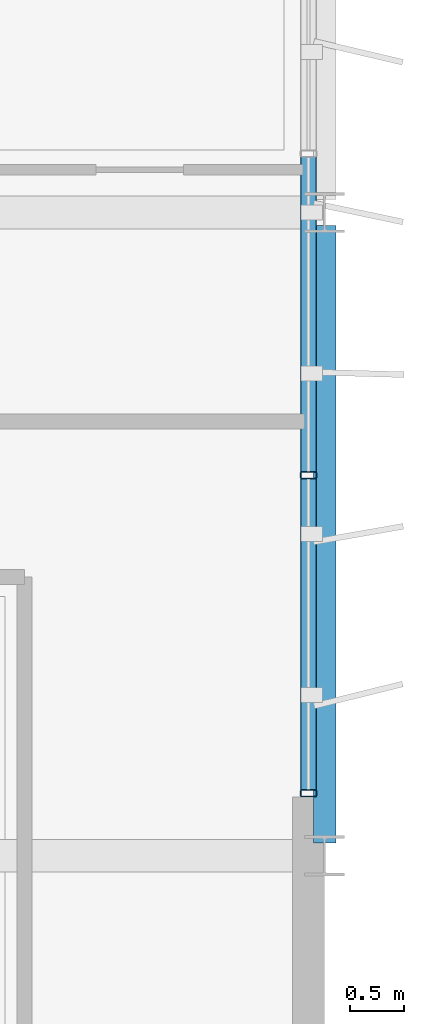
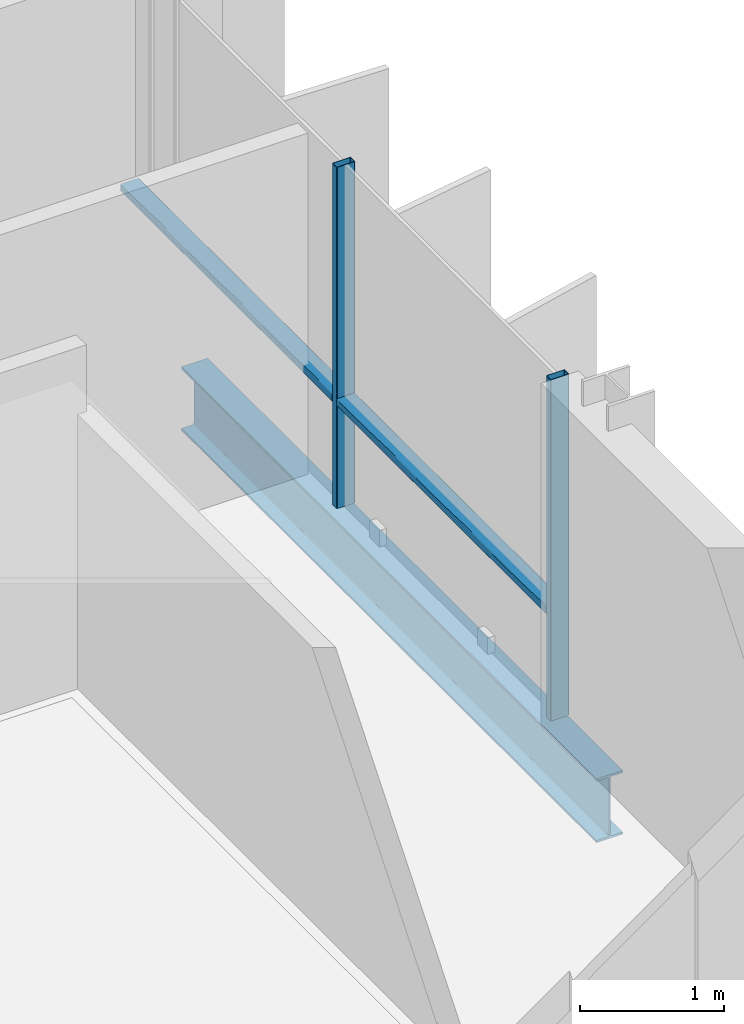
# One storey, part 14 of 35: 4 members, 1 beam, 1 element without a shape of its own.
"""IFC4 building model written with IfcOpenShell, lengths in metres."""

from ifc_helpers import new_model, si_unit, direction, frame, origin, origin_2d, place, context, subcontext, project, spatial, hollow_rectangle, i_section, extrude, material, layer, layer_set, material_profile, profile_set, type_object, element, aggregate, save


model = new_model("IFC4")

# Units and contexts
model_context = context("Model", 3, precision=1e-05, world=origin(), true_north=direction((0.0, 1.0)))
body_context = subcontext(model_context, "Body", "Model", "MODEL_VIEW")
ifc_project = project(units=[si_unit("LENGTHUNIT", "METRE"), si_unit("AREAUNIT", "SQUARE_METRE"), si_unit("VOLUMEUNIT", "CUBIC_METRE"), si_unit("PLANEANGLEUNIT", "RADIAN"), si_unit("MASSUNIT", "GRAM", prefix="KILO")], contexts=[model_context])

# Site, building, storey
site_placement = place(None, origin())
site = spatial("IfcSite", under=ifc_project, at=site_placement, CompositionType="ELEMENT")
building_placement = place(site_placement, origin())
building = spatial("IfcBuilding", under=site, at=building_placement, Name="Brevholm Reach", CompositionType="ELEMENT")
storey_placement = place(building_placement, frame((0.0, 0.0, 218.0)))
storey = spatial("IfcBuildingStorey", under=building, at=storey_placement, Name="L66", CompositionType="ELEMENT", Elevation=218.0)

# Beam
ifc_material_1 = material(Name="Structural Steel S355J2", Category="steel")
ifc_material_profile_1 = material_profile(ifc_material_1, i_section(OverallWidth=0.210693359375, OverallDepth=0.53955078125, WebThickness=0.01171875, FlangeThickness=0.018798828125, FilletRadius=0.0126953125, at=origin_2d()), Name="UKB 533x210x109")
ifc_profile_set_1 = profile_set([ifc_material_profile_1], Name="Structural Steel S355J2")
beam_type = type_object("IfcBeamType", Name="BM-SP539", PredefinedType="SPANDREL", material=ifc_profile_set_1)
beam_placement = place(storey_placement, frame((60.0, 10.1201171875, -0.539794921875), z_axis=(0.0, 1.0, 0.0), x_axis=(-1.0, 0.0, 0.0)))
element("IfcBeam", 1, at=beam_placement, inside=storey, type_object=beam_type, Name="L66 SP-01B Framing Beam", PredefinedType="SPANDREL", context=body_context, shape_type="SweptSolid", body=[
    extrude(i_section(OverallWidth=0.210693359375, OverallDepth=0.53955078125, WebThickness=0.01171875, FlangeThickness=0.018798828125, FilletRadius=0.0126953125, at=origin_2d()), origin(), (0.0, 0.0, 1.0), 5.759765625),
])

# Curtain wall, members
ifc_material_2 = material(Name="Dark Anodised Aluminium 6063-T6 and Solar-Control Glass", Category="aluminium")
ifc_layer = layer(ifc_material_2, 0.14990234375)
ifc_layer_set = layer_set([ifc_layer], Name="Dark Anodised Aluminium 6063-T6 and Solar-Control Glass")
curtain_wall_type = type_object("IfcCurtainWallType", Name="CW-01", PredefinedType="NOTDEFINED", material=ifc_layer_set)
curtain_wall_placement = place(storey_placement, origin())
curtain_wall = element("IfcCurtainWall", 2, at=curtain_wall_placement, inside=storey, type_object=curtain_wall_type, Name="L66 Curtain Wall CW-01", PredefinedType="NOTDEFINED")
ifc_material_3 = material(Name="Dark Anodised Aluminium 6063-T6", Category="aluminium")
ifc_material_profile_2 = material_profile(ifc_material_3, hollow_rectangle(XDim=0.06494140625, YDim=0.14990234375, WallThickness=0.0048828125, InnerFilletRadius=0.0048828125, OuterFilletRadius=0.010009765625, at=origin_2d()), Name="RHS 150x65x5")
ifc_profile_set_2 = profile_set([ifc_material_profile_2], Name="Dark Anodised Aluminium 6063-T6")
member_type_1 = type_object("IfcMemberType", Name="CWM-150", PredefinedType="MULLION", material=ifc_profile_set_2)
member_1_placement = place(storey_placement, frame((59.85009765625, 10.58251953125, 0.0), z_axis=(0.0, 0.0, 1.0), x_axis=(0.0, 1.0, 0.0)))
member_1 = element("IfcMember", 3, at=member_1_placement, type_object=member_type_1, Name="CM-150 Mullion 1", PredefinedType="MULLION", context=body_context, shape_type="SweptSolid", body=[
    extrude(hollow_rectangle(XDim=0.06494140625, YDim=0.14990234375, WallThickness=0.0048828125, InnerFilletRadius=0.0048828125, OuterFilletRadius=0.010009765625, at=origin_2d()), origin(), (0.0, 0.0, 1.0), 2.889892578125),
])
member_2_placement = place(storey_placement, frame((59.85009765625, 13.550048828125, 0.0), z_axis=(0.0, 0.0, 1.0), x_axis=(0.0, 1.0, 0.0)))
member_2 = element("IfcMember", 4, at=member_2_placement, type_object=member_type_1, Name="CM-150 Mullion 2", PredefinedType="MULLION", context=body_context, shape_type="SweptSolid", body=[
    extrude(hollow_rectangle(XDim=0.06494140625, YDim=0.14990234375, WallThickness=0.0048828125, InnerFilletRadius=0.0048828125, OuterFilletRadius=0.010009765625, at=origin_2d()), origin(), (0.0, 0.0, 1.0), 2.889892578125),
])
ifc_material_4 = material(Name="Dark Anodised Aluminium 6063-T6", Category="aluminium")
ifc_material_profile_3 = material_profile(ifc_material_4, hollow_rectangle(XDim=0.06494140625, YDim=0.14990234375, WallThickness=0.0048828125, InnerFilletRadius=0.0048828125, OuterFilletRadius=0.010009765625, at=origin_2d()), Name="RHS 150x65x5")
ifc_profile_set_3 = profile_set([ifc_material_profile_3], Name="Dark Anodised Aluminium 6063-T6")
member_type_2 = type_object("IfcMemberType", Name="CWT-150", PredefinedType="NOTDEFINED", material=ifc_profile_set_3)
member_3_placement = place(storey_placement, frame((59.85009765625, 10.614990234375, 0.89990234375), z_axis=(0.0, 1.0, 0.0), x_axis=(0.0, 0.0, 1.0)))
member_3 = element("IfcMember", 5, at=member_3_placement, type_object=member_type_2, Name="CT-150 Transom 1.1", ObjectType="TRANSOM", PredefinedType="USERDEFINED", context=body_context, shape_type="SweptSolid", body=[
    extrude(hollow_rectangle(XDim=0.06494140625, YDim=0.14990234375, WallThickness=0.0048828125, InnerFilletRadius=0.0048828125, OuterFilletRadius=0.010009765625, at=origin_2d()), origin(), (0.0, 0.0, 1.0), 2.902587890625),
])
member_4_placement = place(storey_placement, frame((59.85009765625, 13.58251953125, 0.89990234375), z_axis=(0.0, 1.0, 0.0), x_axis=(0.0, 0.0, 1.0)))
member_4 = element("IfcMember", 6, at=member_4_placement, type_object=member_type_2, Name="CT-150 Transom 2.1", ObjectType="TRANSOM", PredefinedType="USERDEFINED", context=body_context, shape_type="SweptSolid", body=[
    extrude(hollow_rectangle(XDim=0.06494140625, YDim=0.14990234375, WallThickness=0.0048828125, InnerFilletRadius=0.0048828125, OuterFilletRadius=0.010009765625, at=origin_2d()), origin(), (0.0, 0.0, 1.0), 2.93505859375),
])
aggregate(curtain_wall, [member_1, member_2, member_3, member_4])

save(model, "model.ifc")
